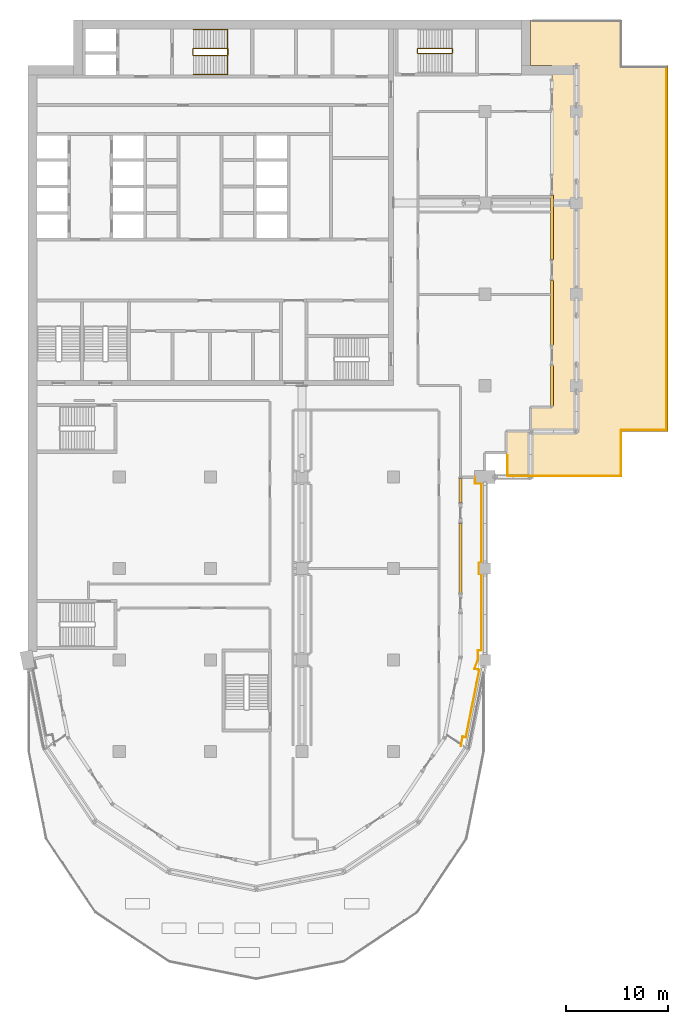
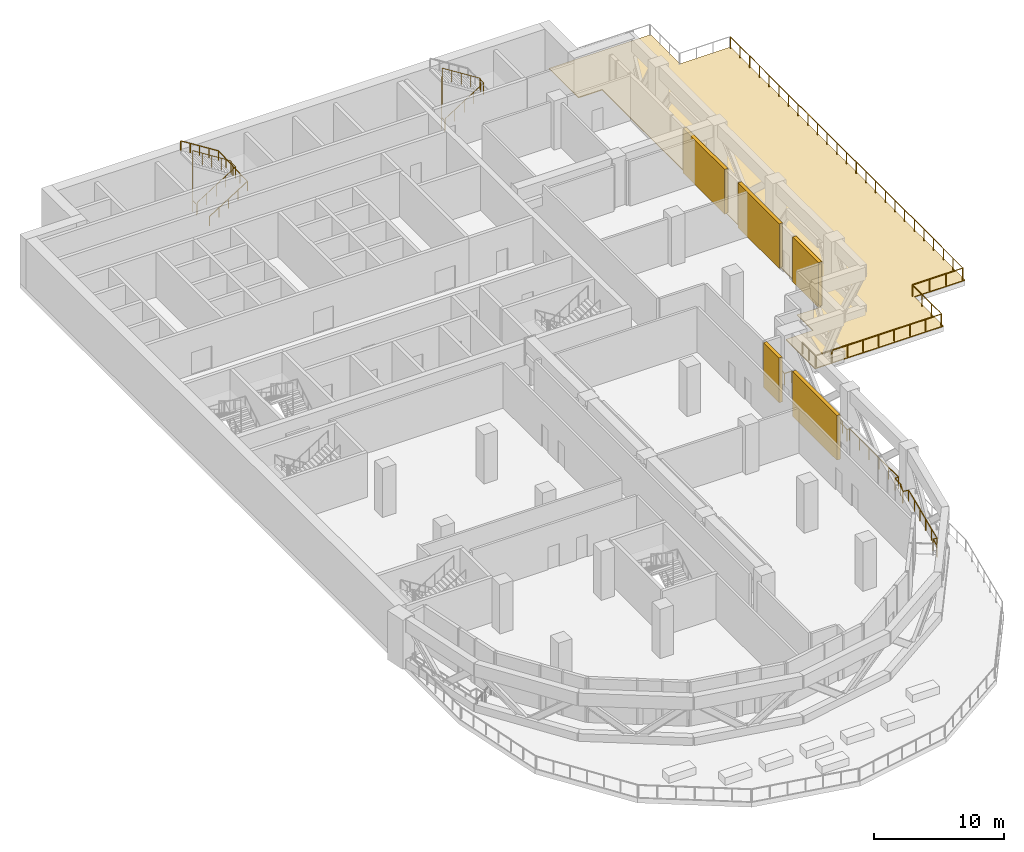
# One storey, part 19 of 20: 9 railings, 5 shading devices, 1 covering.
"""IFC4 building model written with IfcOpenShell, lengths in metres."""

from ifc_helpers import new_model, si_unit, direction, frame, origin, origin_2d, place, context, subcontext, project, spatial, polyline, rectangle, circle, outline, extrude, material, layer, layer_set, type_object, element, save


model = new_model("IFC4")

# Units and contexts
model_context = context("Model", 3, precision=1e-05, world=origin(), true_north=direction((0.0, 1.0)))
body_context = subcontext(model_context, "Body", "Model", "MODEL_VIEW")
ifc_project = project(units=[si_unit("LENGTHUNIT", "METRE"), si_unit("AREAUNIT", "SQUARE_METRE"), si_unit("VOLUMEUNIT", "CUBIC_METRE"), si_unit("PLANEANGLEUNIT", "RADIAN"), si_unit("MASSUNIT", "GRAM", prefix="KILO")], contexts=[model_context])

# Site, building, storey
site_placement = place(None, origin())
site = spatial("IfcSite", under=ifc_project, at=site_placement, CompositionType="ELEMENT")
building_placement = place(site_placement, origin())
building = spatial("IfcBuilding", under=site, at=building_placement, Name="Hunhe Ridgeline Campus", CompositionType="ELEMENT")
storey_placement = place(building_placement, frame((0.0, 0.0, 178.199951171875)))
storey = spatial("IfcBuildingStorey", under=building, at=storey_placement, Name="L45", CompositionType="ELEMENT", Elevation=178.199951171875)

# Railings
ifc_material_1 = material(Name="Steel Q355", Category="steel")
railing_type_1 = type_object("IfcRailingType", Name="Loggia guard 1100 Steel Q355", PredefinedType="GUARDRAIL", material=ifc_material_1)
railing_1_placement = place(storey_placement, frame((42.630126953125, 27.520263671875, 0.0)))
element("IfcRailing", 1, at=railing_1_placement, inside=storey, type_object=railing_type_1, Name="Loggia guard 2", PredefinedType="GUARDRAIL", context=body_context, shape_type="SweptSolid", body=[
    extrude(circle(Radius=0.02392578125, at=origin_2d()), frame((0.0, 0.0, 1.076171875), z_axis=(0.195028897018, 0.980797496596, 0.0), x_axis=(-0.980797496596, 0.195028897018, 0.0)), (0.0, 0.0, 1.0), 0.9501953125),
    extrude(circle(Radius=0.02392578125, at=origin_2d()), frame((0.185302734375, 0.931884765625, 1.076171875), z_axis=(0.980756274917, -0.195236085831, 0.0), x_axis=(0.195236085831, 0.980756274917, 0.0)), (0.0, 0.0, 1.0), 0.320068359375),
    extrude(circle(Radius=0.02392578125, at=origin_2d()), frame((0.499267578125, 0.869384765625, 1.076171875), z_axis=(0.195084106665, 0.980786516693, 0.0), x_axis=(-0.980786516693, 0.195084106665, 0.0)), (0.0, 0.0, 1.0), 6.779296875),
    extrude(circle(Radius=0.02392578125, at=origin_2d()), frame((1.82177734375, 7.518310546875, 1.076171875), z_axis=(-0.980754922768, 0.195242878144, 0.0), x_axis=(-0.195242878144, -0.980754922768, 0.0)), (0.0, 0.0, 1.0), 0.48388671875),
    extrude(circle(Radius=0.02392578125, at=origin_2d()), frame((1.34716796875, 7.61279296875, 1.076171875), z_axis=(0.353724256779, 0.93534974751, 0.0), x_axis=(-0.93534974751, 0.353724256779, 0.0)), (0.0, 0.0, 1.0), 0.997314453125),
    extrude(circle(Radius=0.02392578125, at=origin_2d()), frame((1.699951171875, 8.545654296875, 1.076171875), z_axis=(0.0, 1.0, 0.0), x_axis=(-1.0, 0.0, 0.0)), (0.0, 0.0, 1.0), 0.884033203125),
    extrude(circle(Radius=0.02392578125, at=origin_2d()), frame((1.699951171875, 9.4296875, 1.076171875), z_axis=(1.0, 0.0, 0.0), x_axis=(0.0, 1.0, 0.0)), (0.0, 0.0, 1.0), 0.31982421875),
    extrude(circle(Radius=0.02392578125, at=origin_2d()), frame((2.019775390625, 9.4296875, 1.076171875), z_axis=(0.0, 1.0, 0.0), x_axis=(-1.0, 0.0, 0.0)), (0.0, 0.0, 1.0), 7.5),
    extrude(circle(Radius=0.02392578125, at=origin_2d()), frame((2.019775390625, 16.9296875, 1.076171875), z_axis=(-1.0, 0.0, 0.0), x_axis=(0.0, -1.0, 0.0)), (0.0, 0.0, 1.0), 0.219970703125),
    extrude(circle(Radius=0.02392578125, at=origin_2d()), frame((1.7998046875, 16.9296875, 1.076171875), z_axis=(0.0, 1.0, 0.0), x_axis=(-1.0, 0.0, 0.0)), (0.0, 0.0, 1.0), 1.10009765625),
    extrude(circle(Radius=0.02392578125, at=origin_2d()), frame((1.7998046875, 18.02978515625, 1.076171875), z_axis=(1.0, 0.0, 0.0), x_axis=(0.0, 1.0, 0.0)), (0.0, 0.0, 1.0), 0.219970703125),
    extrude(circle(Radius=0.02392578125, at=origin_2d()), frame((2.019775390625, 18.02978515625, 1.076171875), z_axis=(0.0, 1.0, 0.0), x_axis=(-1.0, 0.0, 0.0)), (0.0, 0.0, 1.0), 7.800048828125),
    extrude(circle(Radius=0.02392578125, at=origin_2d()), frame((2.019775390625, 25.829833984375, 1.076171875), z_axis=(-1.0, 0.0, 0.0), x_axis=(0.0, -1.0, 0.0)), (0.0, 0.0, 1.0), 0.619873046875),
    extrude(circle(Radius=0.02392578125, at=origin_2d()), frame((1.39990234375, 25.829833984375, 1.076171875), z_axis=(0.0, 1.0, 0.0), x_axis=(-1.0, 0.0, 0.0)), (0.0, 0.0, 1.0), 0.64990234375),
    extrude(circle(Radius=0.02099609375, at=origin_2d()), origin(), (0.0, 0.0, 1.0), 1.052001953125),
    extrude(circle(Radius=0.02099609375, at=origin_2d()), frame((0.185302734375, 0.931884765625, 0.0)), (0.0, 0.0, 1.0), 1.052001953125),
    extrude(circle(Radius=0.02099609375, at=origin_2d()), frame((0.499267578125, 0.869384765625, 0.0)), (0.0, 0.0, 1.0), 1.052001953125),
    extrude(circle(Radius=0.02099609375, at=origin_2d()), frame((0.763671875, 2.19921875, 0.0)), (0.0, 0.0, 1.0), 1.052001953125),
    extrude(circle(Radius=0.02099609375, at=origin_2d()), frame((1.0283203125, 3.529052734375, 0.0)), (0.0, 0.0, 1.0), 1.052001953125),
    extrude(circle(Radius=0.02099609375, at=origin_2d()), frame((1.292724609375, 4.858642578125, 0.0)), (0.0, 0.0, 1.0), 1.052001953125),
    extrude(circle(Radius=0.02099609375, at=origin_2d()), frame((1.557373046875, 6.1884765625, 0.0)), (0.0, 0.0, 1.0), 1.052001953125),
    extrude(circle(Radius=0.02099609375, at=origin_2d()), frame((1.82177734375, 7.518310546875, 0.0)), (0.0, 0.0, 1.0), 1.052001953125),
    extrude(circle(Radius=0.02099609375, at=origin_2d()), frame((1.34716796875, 7.61279296875, 0.0)), (0.0, 0.0, 1.0), 1.052001953125),
    extrude(circle(Radius=0.02099609375, at=origin_2d()), frame((1.699951171875, 8.545654296875, 0.0)), (0.0, 0.0, 1.0), 1.052001953125),
    extrude(circle(Radius=0.02099609375, at=origin_2d()), frame((1.699951171875, 9.4296875, 0.0)), (0.0, 0.0, 1.0), 1.052001953125),
    extrude(circle(Radius=0.02099609375, at=origin_2d()), frame((2.019775390625, 9.4296875, 0.0)), (0.0, 0.0, 1.0), 1.052001953125),
    extrude(circle(Radius=0.02099609375, at=origin_2d()), frame((2.019775390625, 10.9296875, 0.0)), (0.0, 0.0, 1.0), 1.052001953125),
    extrude(circle(Radius=0.02099609375, at=origin_2d()), frame((2.019775390625, 12.4296875, 0.0)), (0.0, 0.0, 1.0), 1.052001953125),
    extrude(circle(Radius=0.02099609375, at=origin_2d()), frame((2.019775390625, 13.9296875, 0.0)), (0.0, 0.0, 1.0), 1.052001953125),
    extrude(circle(Radius=0.02099609375, at=origin_2d()), frame((2.019775390625, 15.4296875, 0.0)), (0.0, 0.0, 1.0), 1.052001953125),
    extrude(circle(Radius=0.02099609375, at=origin_2d()), frame((2.019775390625, 16.9296875, 0.0)), (0.0, 0.0, 1.0), 1.052001953125),
    extrude(circle(Radius=0.02099609375, at=origin_2d()), frame((1.7998046875, 16.9296875, 0.0)), (0.0, 0.0, 1.0), 1.052001953125),
    extrude(circle(Radius=0.02099609375, at=origin_2d()), frame((1.7998046875, 18.02978515625, 0.0)), (0.0, 0.0, 1.0), 1.052001953125),
    extrude(circle(Radius=0.02099609375, at=origin_2d()), frame((2.019775390625, 18.02978515625, 0.0)), (0.0, 0.0, 1.0), 1.052001953125),
    extrude(circle(Radius=0.02099609375, at=origin_2d()), frame((2.019775390625, 19.329833984375, 0.0)), (0.0, 0.0, 1.0), 1.052001953125),
    extrude(circle(Radius=0.02099609375, at=origin_2d()), frame((2.019775390625, 20.6298828125, 0.0)), (0.0, 0.0, 1.0), 1.052001953125),
    extrude(circle(Radius=0.02099609375, at=origin_2d()), frame((2.019775390625, 21.9296875, 0.0)), (0.0, 0.0, 1.0), 1.052001953125),
    extrude(circle(Radius=0.02099609375, at=origin_2d()), frame((2.019775390625, 23.229736328125, 0.0)), (0.0, 0.0, 1.0), 1.052001953125),
    extrude(circle(Radius=0.02099609375, at=origin_2d()), frame((2.019775390625, 24.52978515625, 0.0)), (0.0, 0.0, 1.0), 1.052001953125),
    extrude(circle(Radius=0.02099609375, at=origin_2d()), frame((2.019775390625, 25.829833984375, 0.0)), (0.0, 0.0, 1.0), 1.052001953125),
    extrude(circle(Radius=0.02099609375, at=origin_2d()), frame((1.39990234375, 25.829833984375, 0.0)), (0.0, 0.0, 1.0), 1.052001953125),
    extrude(circle(Radius=0.02099609375, at=origin_2d()), frame((1.39990234375, 26.479736328125, 0.0)), (0.0, 0.0, 1.0), 1.052001953125),
])
railing_2_placement = place(storey_placement, frame((62.8798828125, 94.340087890625, 0.080078125)))
element("IfcRailing", 2, at=railing_2_placement, inside=storey, type_object=railing_type_1, Name="Terrace guard 4", PredefinedType="GUARDRAIL", context=body_context, shape_type="SweptSolid", body=[
    extrude(circle(Radius=0.02392578125, at=origin_2d()), frame((0.0, 0.0, 1.076171875), z_axis=(0.0, -1.0, 0.0), x_axis=(1.0, 0.0, 0.0)), (0.0, 0.0, 1.0), 35.68017578125),
    extrude(circle(Radius=0.02099609375, at=origin_2d()), origin(), (0.0, 0.0, 1.0), 1.052001953125),
    extrude(circle(Radius=0.02099609375, at=origin_2d()), frame((0.0, -1.486572265625, 0.0)), (0.0, 0.0, 1.0), 1.052001953125),
    extrude(circle(Radius=0.02099609375, at=origin_2d()), frame((0.0, -2.973388671875, 0.0)), (0.0, 0.0, 1.0), 1.052001953125),
    extrude(circle(Radius=0.02099609375, at=origin_2d()), frame((0.0, -4.4599609375, 0.0)), (0.0, 0.0, 1.0), 1.052001953125),
    extrude(circle(Radius=0.02099609375, at=origin_2d()), frame((0.0, -5.94677734375, 0.0)), (0.0, 0.0, 1.0), 1.052001953125),
    extrude(circle(Radius=0.02099609375, at=origin_2d()), frame((0.0, -7.433349609375, 0.0)), (0.0, 0.0, 1.0), 1.052001953125),
    extrude(circle(Radius=0.02099609375, at=origin_2d()), frame((0.0, -8.919921875, 0.0)), (0.0, 0.0, 1.0), 1.052001953125),
    extrude(circle(Radius=0.02099609375, at=origin_2d()), frame((0.0, -10.40673828125, 0.0)), (0.0, 0.0, 1.0), 1.052001953125),
    extrude(circle(Radius=0.02099609375, at=origin_2d()), frame((0.0, -11.893310546875, 0.0)), (0.0, 0.0, 1.0), 1.052001953125),
    extrude(circle(Radius=0.02099609375, at=origin_2d()), frame((0.0, -13.380126953125, 0.0)), (0.0, 0.0, 1.0), 1.052001953125),
    extrude(circle(Radius=0.02099609375, at=origin_2d()), frame((0.0, -14.86669921875, 0.0)), (0.0, 0.0, 1.0), 1.052001953125),
    extrude(circle(Radius=0.02099609375, at=origin_2d()), frame((0.0, -16.353515625, 0.0)), (0.0, 0.0, 1.0), 1.052001953125),
    extrude(circle(Radius=0.02099609375, at=origin_2d()), frame((0.0, -17.840087890625, 0.0)), (0.0, 0.0, 1.0), 1.052001953125),
    extrude(circle(Radius=0.02099609375, at=origin_2d()), frame((0.0, -19.32666015625, 0.0)), (0.0, 0.0, 1.0), 1.052001953125),
    extrude(circle(Radius=0.02099609375, at=origin_2d()), frame((0.0, -20.8134765625, 0.0)), (0.0, 0.0, 1.0), 1.052001953125),
    extrude(circle(Radius=0.02099609375, at=origin_2d()), frame((0.0, -22.300048828125, 0.0)), (0.0, 0.0, 1.0), 1.052001953125),
    extrude(circle(Radius=0.02099609375, at=origin_2d()), frame((0.0, -23.786865234375, 0.0)), (0.0, 0.0, 1.0), 1.052001953125),
    extrude(circle(Radius=0.02099609375, at=origin_2d()), frame((0.0, -25.2734375, 0.0)), (0.0, 0.0, 1.0), 1.052001953125),
    extrude(circle(Radius=0.02099609375, at=origin_2d()), frame((0.0, -26.76025390625, 0.0)), (0.0, 0.0, 1.0), 1.052001953125),
    extrude(circle(Radius=0.02099609375, at=origin_2d()), frame((0.0, -28.246826171875, 0.0)), (0.0, 0.0, 1.0), 1.052001953125),
    extrude(circle(Radius=0.02099609375, at=origin_2d()), frame((0.0, -29.7333984375, 0.0)), (0.0, 0.0, 1.0), 1.052001953125),
    extrude(circle(Radius=0.02099609375, at=origin_2d()), frame((0.0, -31.22021484375, 0.0)), (0.0, 0.0, 1.0), 1.052001953125),
    extrude(circle(Radius=0.02099609375, at=origin_2d()), frame((0.0, -32.706787109375, 0.0)), (0.0, 0.0, 1.0), 1.052001953125),
    extrude(circle(Radius=0.02099609375, at=origin_2d()), frame((0.0, -34.193603515625, 0.0)), (0.0, 0.0, 1.0), 1.052001953125),
    extrude(circle(Radius=0.02099609375, at=origin_2d()), frame((0.0, -35.68017578125, 0.0)), (0.0, 0.0, 1.0), 1.052001953125),
])
railing_3_placement = place(storey_placement, frame((62.840087890625, 58.6201171875, 0.080078125)))
element("IfcRailing", 3, at=railing_3_placement, inside=storey, type_object=railing_type_1, Name="Terrace guard 5", PredefinedType="GUARDRAIL", context=body_context, shape_type="SweptSolid", body=[
    extrude(circle(Radius=0.02392578125, at=origin_2d()), frame((0.0, 0.0, 1.076171875), z_axis=(-0.999999993897, -0.000110478925, 0.0), x_axis=(0.000110478925, -0.999999993897, 0.0)), (0.0, 0.0, 1.0), 4.419677734375),
    extrude(circle(Radius=0.02099609375, at=origin_2d()), origin(), (0.0, 0.0, 1.0), 1.052001953125),
    extrude(circle(Radius=0.02099609375, at=origin_2d()), frame((-1.47314453125, -0.000244140625, 0.0)), (0.0, 0.0, 1.0), 1.052001953125),
    extrude(circle(Radius=0.02099609375, at=origin_2d()), frame((-2.946533203125, -0.000244140625, 0.0)), (0.0, 0.0, 1.0), 1.052001953125),
    extrude(circle(Radius=0.02099609375, at=origin_2d()), frame((-4.419677734375, -0.00048828125, 0.0)), (0.0, 0.0, 1.0), 1.052001953125),
])
railing_4_placement = place(storey_placement, frame((58.38037109375, 58.57958984375, 0.080078125)))
element("IfcRailing", 4, at=railing_4_placement, inside=storey, type_object=railing_type_1, Name="Terrace guard 6", PredefinedType="GUARDRAIL", context=body_context, shape_type="SweptSolid", body=[
    extrude(circle(Radius=0.02392578125, at=origin_2d()), frame((0.0, 0.0, 1.076171875), z_axis=(-0.000110478925, -0.999999993897, 0.0), x_axis=(0.999999993897, -0.000110478925, 0.0)), (0.0, 0.0, 1.0), 4.419677734375),
    extrude(circle(Radius=0.02099609375, at=origin_2d()), origin(), (0.0, 0.0, 1.0), 1.052001953125),
    extrude(circle(Radius=0.02099609375, at=origin_2d()), frame((-0.000244140625, -1.47314453125, 0.0)), (0.0, 0.0, 1.0), 1.052001953125),
    extrude(circle(Radius=0.02099609375, at=origin_2d()), frame((-0.000244140625, -2.946533203125, 0.0)), (0.0, 0.0, 1.0), 1.052001953125),
    extrude(circle(Radius=0.02099609375, at=origin_2d()), frame((-0.00048828125, -4.419677734375, 0.0)), (0.0, 0.0, 1.0), 1.052001953125),
])
railing_5_placement = place(storey_placement, frame((58.340087890625, 54.1201171875, 0.080078125)))
element("IfcRailing", 5, at=railing_5_placement, inside=storey, type_object=railing_type_1, Name="Terrace guard 7", PredefinedType="GUARDRAIL", context=body_context, shape_type="SweptSolid", body=[
    extrude(circle(Radius=0.02392578125, at=origin_2d()), frame((0.0, 0.0, 1.076171875), z_axis=(-1.0, 0.0, 0.0), x_axis=(0.0, -1.0, 0.0)), (0.0, 0.0, 1.0), 11.080078125),
    extrude(circle(Radius=0.02099609375, at=origin_2d()), origin(), (0.0, 0.0, 1.0), 1.052001953125),
    extrude(circle(Radius=0.02099609375, at=origin_2d()), frame((-1.385009765625, 0.0, 0.0)), (0.0, 0.0, 1.0), 1.052001953125),
    extrude(circle(Radius=0.02099609375, at=origin_2d()), frame((-2.77001953125, 0.0, 0.0)), (0.0, 0.0, 1.0), 1.052001953125),
    extrude(circle(Radius=0.02099609375, at=origin_2d()), frame((-4.155029296875, 0.0, 0.0)), (0.0, 0.0, 1.0), 1.052001953125),
    extrude(circle(Radius=0.02099609375, at=origin_2d()), frame((-5.5400390625, 0.0, 0.0)), (0.0, 0.0, 1.0), 1.052001953125),
    extrude(circle(Radius=0.02099609375, at=origin_2d()), frame((-6.925048828125, 0.0, 0.0)), (0.0, 0.0, 1.0), 1.052001953125),
    extrude(circle(Radius=0.02099609375, at=origin_2d()), frame((-8.31005859375, 0.0, 0.0)), (0.0, 0.0, 1.0), 1.052001953125),
    extrude(circle(Radius=0.02099609375, at=origin_2d()), frame((-9.695068359375, 0.0, 0.0)), (0.0, 0.0, 1.0), 1.052001953125),
    extrude(circle(Radius=0.02099609375, at=origin_2d()), frame((-11.080078125, 0.0, 0.0)), (0.0, 0.0, 1.0), 1.052001953125),
])
railing_6_placement = place(storey_placement, frame((47.219970703125, 54.159912109375, 0.080078125)))
element("IfcRailing", 6, at=railing_6_placement, inside=storey, type_object=railing_type_1, Name="Terrace guard 8", PredefinedType="GUARDRAIL", context=body_context, shape_type="SweptSolid", body=[
    extrude(circle(Radius=0.02392578125, at=origin_2d()), frame((0.0, 0.0, 1.076171875), z_axis=(0.0, 1.0, 0.0), x_axis=(-1.0, 0.0, 0.0)), (0.0, 0.0, 1.0), 1.990966796875),
    extrude(circle(Radius=0.02099609375, at=origin_2d()), origin(), (0.0, 0.0, 1.0), 1.052001953125),
    extrude(circle(Radius=0.02099609375, at=origin_2d()), frame((0.0, 0.99560546875, 0.0)), (0.0, 0.0, 1.0), 1.052001953125),
    extrude(circle(Radius=0.02099609375, at=origin_2d()), frame((0.0, 1.990966796875, 0.0)), (0.0, 0.0, 1.0), 1.052001953125),
])

# Shading devices
ifc_material_2 = material(Name="Aluminium 6063", Category="aluminium")
ifc_layer_1 = layer(ifc_material_2, 0.300048828125)
ifc_layer_set_1 = layer_set([ifc_layer_1], Name="Louvre bank 300 Aluminium 6063")
shading_device_type = type_object("IfcShadingDeviceType", Name="Louvre bank 300 Aluminium 6063", PredefinedType="USERDEFINED", material=ifc_layer_set_1)
shading_device_1_placement = place(storey_placement, frame((42.59912109375, 46.0185546875, 0.0), z_axis=(0.0, 0.0, 1.0), x_axis=(6.636545e-06, 0.999999999978, 0.0)))
element("IfcShadingDevice", 7, at=shading_device_1_placement, inside=storey, type_object=shading_device_type, Name="Louvre bank 18", ObjectType="LOUVRE", PredefinedType="USERDEFINED", context=body_context, shape_type="SweptSolid", body=[
    extrude(rectangle(XDim=6.842041015625, YDim=0.300048828125, at=origin_2d()), origin(), (0.0, 0.0, 1.0), 4.199951171875),
])
shading_device_2_placement = place(storey_placement, frame((42.59912109375, 52.679931640625, 0.0), z_axis=(0.0, 0.0, 1.0), x_axis=(6.815598e-06, 0.999999999977, 0.0)))
element("IfcShadingDevice", 8, at=shading_device_2_placement, inside=storey, type_object=shading_device_type, Name="Louvre bank 19", ObjectType="LOUVRE", PredefinedType="USERDEFINED", context=body_context, shape_type="SweptSolid", body=[
    extrude(rectangle(XDim=2.40087890625, YDim=0.300048828125, at=origin_2d()), origin(), (0.0, 0.0, 1.0), 4.199951171875),
])
shading_device_3_placement = place(storey_placement, frame((51.59912109375, 63.0009765625, 0.0), z_axis=(0.0, 0.0, 1.0), x_axis=(0.0, 1.0, 0.0)))
element("IfcShadingDevice", 9, at=shading_device_3_placement, inside=storey, type_object=shading_device_type, Name="Louvre bank 20", ObjectType="LOUVRE", PredefinedType="USERDEFINED", context=body_context, shape_type="SweptSolid", body=[
    extrude(rectangle(XDim=3.9599609375, YDim=0.300048828125, at=origin_2d()), origin(), (0.0, 0.0, 1.0), 4.199951171875),
])
for number, where, z_axis, x_axis, name in (
    (10, (51.59912109375, 70.20068359375, 0.0), (0.0, 0.0, 1.0), (0.0, 1.0, 0.0), "Louvre bank 21"),
    (11, (51.59912109375, 78.6005859375, 0.0), (0.0, 0.0, 1.0), (0.0, 1.0, 0.0), "Louvre bank 22"),
):
    element("IfcShadingDevice", number, at=place(storey_placement, frame(where, z_axis=z_axis, x_axis=x_axis)), inside=storey, type_object=shading_device_type, Name=name, ObjectType="LOUVRE", PredefinedType="USERDEFINED", context=body_context, shape_type="SweptSolid", body=[
        extrude(rectangle(XDim=6.35986328125, YDim=0.300048828125, at=origin_2d()), origin(), (0.0, 0.0, 1.0), 4.199951171875),
    ])

# Railings
ifc_material_3 = material(Name="Stainless steel balustrade", Category="steel")
railing_type_2 = type_object("IfcRailingType", Name="Stair guard 1100 stainless", PredefinedType="GUARDRAIL", material=ifc_material_3)
railing_7_placement = place(storey_placement, frame((16.300048828125, 95.5, 0.177001953125)))
element("IfcRailing", 12, at=railing_7_placement, inside=storey, type_object=railing_type_2, Name="L45 stair S1 guard", PredefinedType="GUARDRAIL", context=body_context, shape_type="SweptSolid", body=[
    extrude(circle(Radius=0.02392578125, at=origin_2d()), frame((0.0, 0.0, 1.076171875), z_axis=(0.845372108799, 0.0, 0.534177870812), x_axis=(0.0, 1.0, 0.0)), (0.0, 0.0, 1.0), 3.974365234375),
    extrude(circle(Radius=0.02392578125, at=origin_2d()), frame((3.35986328125, 0.0, 3.19921875), z_axis=(0.707106781187, 0.707106781187, 0.0), x_axis=(-0.707106781187, 0.707106781187, 0.0)), (0.0, 0.0, 1.0), 0.07080078125),
    extrude(circle(Radius=0.02392578125, at=origin_2d()), frame((3.409912109375, 0.050048828125, 3.19921875), z_axis=(0.0, 1.0, 0.0), x_axis=(-1.0, 0.0, 0.0)), (0.0, 0.0, 1.0), 0.599853515625),
    extrude(circle(Radius=0.02392578125, at=origin_2d()), frame((3.409912109375, 0.64990234375, 3.19921875), z_axis=(-0.262545553595, 0.262545553595, 0.928514762713), x_axis=(-0.707106781187, -0.707106781187, 0.0)), (0.0, 0.0, 1.0), 0.190673828125),
    extrude(circle(Radius=0.02392578125, at=origin_2d()), frame((3.35986328125, 0.699951171875, 3.3759765625), z_axis=(-0.845372108799, 0.0, 0.534177870812), x_axis=(0.0, -1.0, 0.0)), (0.0, 0.0, 1.0), 3.974365234375),
    extrude(circle(Radius=0.02392578125, at=origin_2d()), frame((0.0, 0.699951171875, 5.4990234375), z_axis=(-0.010878661383, -0.010878661383, -0.999881647723), x_axis=(0.707106781187, -0.707106781187, 0.0)), (0.0, 0.0, 1.0), 4.6005859375),
    extrude(circle(Radius=0.02392578125, at=origin_2d()), frame((-0.050048828125, 0.64990234375, 0.89892578125), z_axis=(0.0, -1.0, 0.0), x_axis=(1.0, 0.0, 0.0)), (0.0, 0.0, 1.0), 0.599853515625),
    extrude(circle(Radius=0.02099609375, at=origin_2d()), origin(), (0.0, 0.0, 1.0), 1.052001953125),
    extrude(circle(Radius=0.02099609375, at=origin_2d()), frame((0.83984375, 0.0, 0.53076171875)), (0.0, 0.0, 1.0), 1.052001953125),
    extrude(circle(Radius=0.02099609375, at=origin_2d()), frame((1.679931640625, 0.0, 1.0615234375)), (0.0, 0.0, 1.0), 1.052001953125),
    extrude(circle(Radius=0.02099609375, at=origin_2d()), frame((2.52001953125, 0.0, 1.59228515625)), (0.0, 0.0, 1.0), 1.052001953125),
    extrude(circle(Radius=0.02099609375, at=origin_2d()), frame((3.35986328125, 0.0, 2.123046875)), (0.0, 0.0, 1.0), 1.052001953125),
    extrude(circle(Radius=0.02099609375, at=origin_2d()), frame((3.409912109375, 0.050048828125, 2.123046875)), (0.0, 0.0, 1.0), 1.052001953125),
    extrude(circle(Radius=0.02099609375, at=origin_2d()), frame((3.409912109375, 0.64990234375, 2.123046875)), (0.0, 0.0, 1.0), 1.052001953125),
    extrude(circle(Radius=0.02099609375, at=origin_2d()), frame((3.35986328125, 0.699951171875, 2.300048828125)), (0.0, 0.0, 1.0), 1.052001953125),
    extrude(circle(Radius=0.02099609375, at=origin_2d()), frame((2.52001953125, 0.699951171875, 2.830810546875)), (0.0, 0.0, 1.0), 1.052001953125),
    extrude(circle(Radius=0.02099609375, at=origin_2d()), frame((1.679931640625, 0.699951171875, 3.361572265625)), (0.0, 0.0, 1.0), 1.052001953125),
    extrude(circle(Radius=0.02099609375, at=origin_2d()), frame((0.83984375, 0.699951171875, 3.892333984375)), (0.0, 0.0, 1.0), 1.052001953125),
    extrude(circle(Radius=0.02099609375, at=origin_2d()), frame((0.0, 0.699951171875, 4.423095703125)), (0.0, 0.0, 1.0), 1.052001953125),
    extrude(circle(Radius=0.02099609375, at=origin_2d()), frame((-0.012451171875, 0.6875, 3.27294921875)), (0.0, 0.0, 1.0), 1.052001953125),
    extrude(circle(Radius=0.02099609375, at=origin_2d()), frame((-0.02490234375, 0.6748046875, 2.123046875)), (0.0, 0.0, 1.0), 1.052001953125),
    extrude(circle(Radius=0.02099609375, at=origin_2d()), frame((-0.03759765625, 0.662353515625, 0.97314453125)), (0.0, 0.0, 1.0), 1.052001953125),
    extrude(circle(Radius=0.02099609375, at=origin_2d()), frame((-0.050048828125, 0.64990234375, -0.177001953125)), (0.0, 0.0, 1.0), 1.052001953125),
    extrude(circle(Radius=0.02099609375, at=origin_2d()), frame((-0.050048828125, 0.050048828125, -0.177001953125)), (0.0, 0.0, 1.0), 1.052001953125),
])
railing_8_placement = place(storey_placement, frame((38.39990234375, 95.699951171875, 0.177001953125)))
element("IfcRailing", 13, at=railing_8_placement, inside=storey, type_object=railing_type_2, Name="L45 stair E1 guard", PredefinedType="GUARDRAIL", context=body_context, shape_type="SweptSolid", body=[
    extrude(circle(Radius=0.02392578125, at=origin_2d()), frame((0.0, 0.0, 1.076171875), z_axis=(0.845389635667, 0.0, 0.534150132366), x_axis=(0.0, 1.0, 0.0)), (0.0, 0.0, 1.0), 3.974609375),
    extrude(circle(Radius=0.02392578125, at=origin_2d()), frame((3.360107421875, 0.0, 3.19921875), z_axis=(0.707106781187, 0.707106781187, 0.0), x_axis=(-0.707106781187, 0.707106781187, 0.0)), (0.0, 0.0, 1.0), 0.07080078125),
    extrude(circle(Radius=0.02392578125, at=origin_2d()), frame((3.41015625, 0.050048828125, 3.19921875), z_axis=(0.0, 1.0, 0.0), x_axis=(-1.0, 0.0, 0.0)), (0.0, 0.0, 1.0), 0.39990234375),
    extrude(circle(Radius=0.02392578125, at=origin_2d()), frame((3.41015625, 0.449951171875, 3.19921875), z_axis=(-0.262545553595, 0.262545553595, 0.928514762713), x_axis=(-0.707106781187, -0.707106781187, 0.0)), (0.0, 0.0, 1.0), 0.190673828125),
    extrude(circle(Radius=0.02392578125, at=origin_2d()), frame((3.360107421875, 0.5, 3.3759765625), z_axis=(-0.845389635667, 0.0, 0.534150132366), x_axis=(0.0, -1.0, 0.0)), (0.0, 0.0, 1.0), 3.974609375),
    extrude(circle(Radius=0.02392578125, at=origin_2d()), frame((0.0, 0.5, 5.4990234375), z_axis=(-0.010825600977, -0.010878667648, -0.999882223541), x_axis=(0.708833529934, -0.705375805398, 0.0)), (0.0, 0.0, 1.0), 4.6005859375),
    extrude(circle(Radius=0.02392578125, at=origin_2d()), frame((-0.0498046875, 0.449951171875, 0.89892578125), z_axis=(0.0, -1.0, 0.0), x_axis=(1.0, 0.0, 0.0)), (0.0, 0.0, 1.0), 0.39990234375),
    extrude(circle(Radius=0.02099609375, at=origin_2d()), origin(), (0.0, 0.0, 1.0), 1.052001953125),
    extrude(circle(Radius=0.02099609375, at=origin_2d()), frame((0.840087890625, 0.0, 0.53076171875)), (0.0, 0.0, 1.0), 1.052001953125),
    extrude(circle(Radius=0.02099609375, at=origin_2d()), frame((1.68017578125, 0.0, 1.0615234375)), (0.0, 0.0, 1.0), 1.052001953125),
    extrude(circle(Radius=0.02099609375, at=origin_2d()), frame((2.52001953125, 0.0, 1.59228515625)), (0.0, 0.0, 1.0), 1.052001953125),
    extrude(circle(Radius=0.02099609375, at=origin_2d()), frame((3.360107421875, 0.0, 2.123046875)), (0.0, 0.0, 1.0), 1.052001953125),
    extrude(circle(Radius=0.02099609375, at=origin_2d()), frame((3.41015625, 0.050048828125, 2.123046875)), (0.0, 0.0, 1.0), 1.052001953125),
    extrude(circle(Radius=0.02099609375, at=origin_2d()), frame((3.41015625, 0.449951171875, 2.123046875)), (0.0, 0.0, 1.0), 1.052001953125),
    extrude(circle(Radius=0.02099609375, at=origin_2d()), frame((3.360107421875, 0.5, 2.300048828125)), (0.0, 0.0, 1.0), 1.052001953125),
    extrude(circle(Radius=0.02099609375, at=origin_2d()), frame((2.52001953125, 0.5, 2.830810546875)), (0.0, 0.0, 1.0), 1.052001953125),
    extrude(circle(Radius=0.02099609375, at=origin_2d()), frame((1.68017578125, 0.5, 3.361572265625)), (0.0, 0.0, 1.0), 1.052001953125),
    extrude(circle(Radius=0.02099609375, at=origin_2d()), frame((0.840087890625, 0.5, 3.892333984375)), (0.0, 0.0, 1.0), 1.052001953125),
    extrude(circle(Radius=0.02099609375, at=origin_2d()), frame((0.0, 0.5, 4.423095703125)), (0.0, 0.0, 1.0), 1.052001953125),
    extrude(circle(Radius=0.02099609375, at=origin_2d()), frame((-0.012451171875, 0.487548828125, 3.27294921875)), (0.0, 0.0, 1.0), 1.052001953125),
    extrude(circle(Radius=0.02099609375, at=origin_2d()), frame((-0.02490234375, 0.47509765625, 2.123046875)), (0.0, 0.0, 1.0), 1.052001953125),
    extrude(circle(Radius=0.02099609375, at=origin_2d()), frame((-0.037353515625, 0.46240234375, 0.97314453125)), (0.0, 0.0, 1.0), 1.052001953125),
    extrude(circle(Radius=0.02099609375, at=origin_2d()), frame((-0.0498046875, 0.449951171875, -0.177001953125)), (0.0, 0.0, 1.0), 1.052001953125),
    extrude(circle(Radius=0.02099609375, at=origin_2d()), frame((-0.0498046875, 0.050048828125, -0.177001953125)), (0.0, 0.0, 1.0), 1.052001953125),
])
ifc_material_4 = material(Name="Stainless steel handrail", Category="steel")
railing_type_3 = type_object("IfcRailingType", Name="Stair handrail 900 stainless", PredefinedType="HANDRAIL", material=ifc_material_4)
railing_9_placement = place(storey_placement, frame((16.300048828125, 93.64990234375, 0.177001953125)))
element("IfcRailing", 14, at=railing_9_placement, inside=storey, type_object=railing_type_3, Name="L45 stair S1 handrail", PredefinedType="HANDRAIL", context=body_context, shape_type="SweptSolid", body=[
    extrude(circle(Radius=0.02392578125, at=origin_2d()), frame((0.0, 0.0, 0.8759765625), z_axis=(0.845372108799, 0.0, 0.534177870812), x_axis=(0.0, 1.0, 0.0)), (0.0, 0.0, 1.0), 3.974365234375),
    extrude(circle(Radius=0.02392578125, at=origin_2d()), frame((3.35986328125, 0.0, 2.9990234375), z_axis=(0.0, 0.999191899876, 0.040193870466), x_axis=(-1.0, 0.0, 0.0)), (0.0, 0.0, 1.0), 4.40380859375),
    extrude(circle(Radius=0.02392578125, at=origin_2d()), frame((3.35986328125, 4.400146484375, 3.17578125), z_axis=(-0.845372108799, 0.0, 0.534177870812), x_axis=(0.0, -1.0, 0.0)), (0.0, 0.0, 1.0), 3.974365234375),
    extrude(circle(Radius=0.02099609375, at=origin_2d()), origin(), (0.0, 0.0, 1.0), 0.851806640625),
    extrude(circle(Radius=0.02099609375, at=origin_2d()), frame((0.83984375, 0.0, 0.53076171875)), (0.0, 0.0, 1.0), 0.851806640625),
    extrude(circle(Radius=0.02099609375, at=origin_2d()), frame((1.679931640625, 0.0, 1.0615234375)), (0.0, 0.0, 1.0), 0.851806640625),
    extrude(circle(Radius=0.02099609375, at=origin_2d()), frame((2.52001953125, 0.0, 1.59228515625)), (0.0, 0.0, 1.0), 0.851806640625),
    extrude(circle(Radius=0.02099609375, at=origin_2d()), frame((3.35986328125, 0.0, 2.123046875)), (0.0, 0.0, 1.0), 0.851806640625),
    extrude(circle(Radius=0.02099609375, at=origin_2d()), frame((3.35986328125, 1.10009765625, 2.167236328125)), (0.0, 0.0, 1.0), 0.851806640625),
    extrude(circle(Radius=0.02099609375, at=origin_2d()), frame((3.35986328125, 2.2001953125, 2.21142578125)), (0.0, 0.0, 1.0), 0.851806640625),
    extrude(circle(Radius=0.02099609375, at=origin_2d()), frame((3.35986328125, 3.300048828125, 2.255859375)), (0.0, 0.0, 1.0), 0.851806640625),
    extrude(circle(Radius=0.02099609375, at=origin_2d()), frame((3.35986328125, 4.400146484375, 2.300048828125)), (0.0, 0.0, 1.0), 0.851806640625),
    extrude(circle(Radius=0.02099609375, at=origin_2d()), frame((2.52001953125, 4.400146484375, 2.830810546875)), (0.0, 0.0, 1.0), 0.851806640625),
    extrude(circle(Radius=0.02099609375, at=origin_2d()), frame((1.679931640625, 4.400146484375, 3.361572265625)), (0.0, 0.0, 1.0), 0.851806640625),
    extrude(circle(Radius=0.02099609375, at=origin_2d()), frame((0.83984375, 4.400146484375, 3.892333984375)), (0.0, 0.0, 1.0), 0.851806640625),
    extrude(circle(Radius=0.02099609375, at=origin_2d()), frame((0.0, 4.400146484375, 4.423095703125)), (0.0, 0.0, 1.0), 0.851806640625),
])

# Covering
ifc_material_5 = material(Name="Precast concrete C30 paving", Category="concrete")
ifc_layer_2 = layer(ifc_material_5, 0.080078125)
ifc_layer_set_2 = layer_set([ifc_layer_2], Name="Terrace paving 80 Concrete C30 pavers")
covering_type = type_object("IfcCoveringType", Name="Terrace paving 80 Concrete C30 pavers", PredefinedType="FLOORING", material=ifc_layer_set_2)
covering_placement = place(storey_placement, origin())
element("IfcCovering", 15, at=covering_placement, inside=storey, type_object=covering_type, Name="Terrace paving 1", PredefinedType="FLOORING", context=body_context, shape_type="SweptSolid", body=[
    extrude(outline(polyline([(58.5, 54.0), (58.500244140625, 58.499755859375), (63.0, 58.5), (63.0, 94.5), (58.500244140625, 94.500244140625), (58.5, 99.0), (49.5, 99.0), (49.5, 94.5), (51.60009765625, 94.4990234375), (51.60009765625, 60.90087890625), (49.5, 60.89990234375), (49.49951171875, 58.5), (47.10009765625, 58.5), (47.10009765625, 54.0), (58.5, 54.0)])), origin(), (0.0, 0.0, 1.0), 0.080078125),
])

save(model, "model.ifc")
